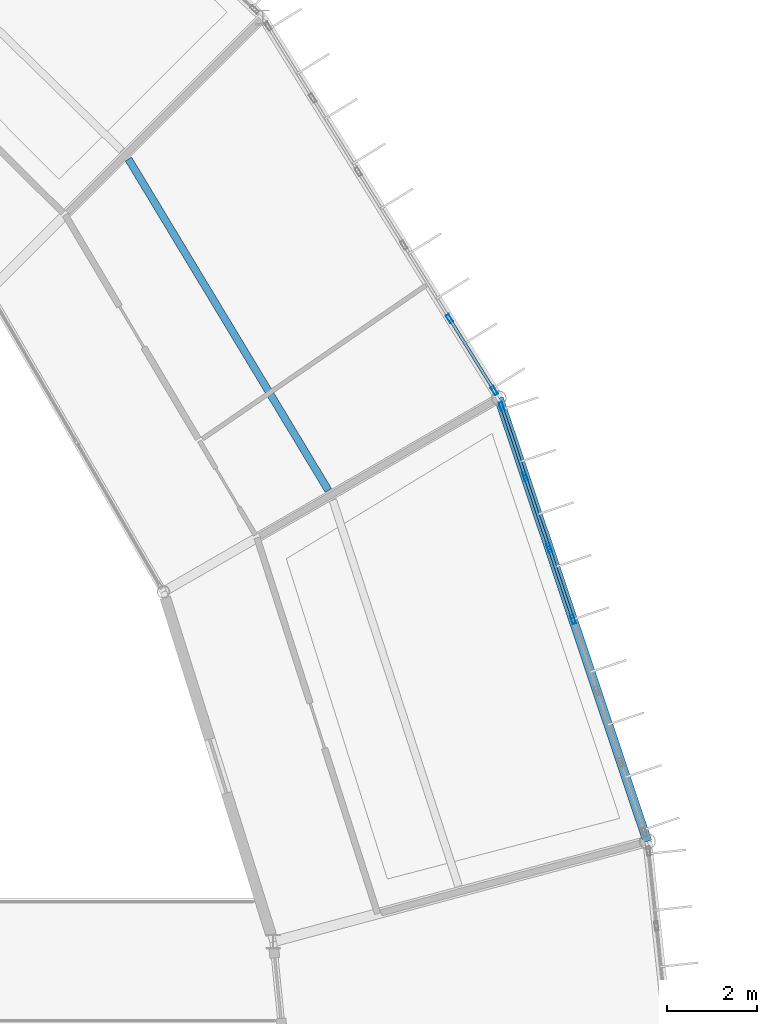
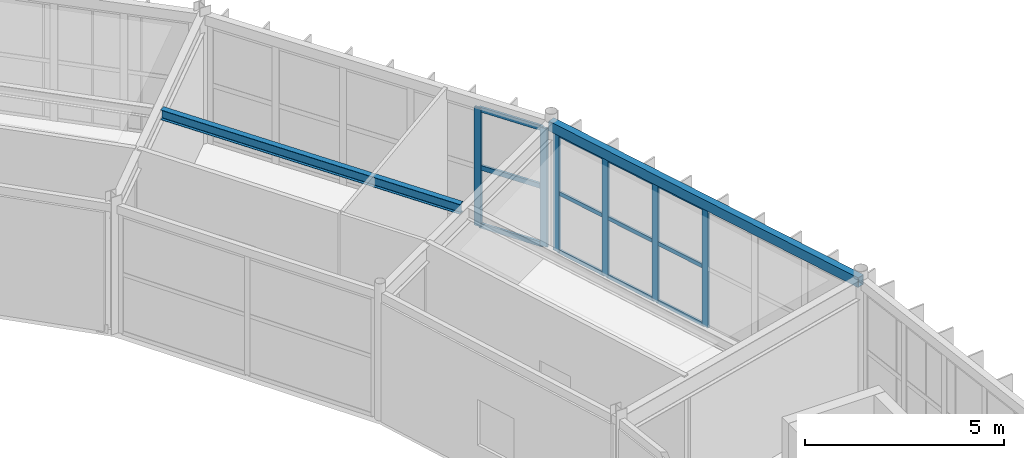
# One storey, part 83 of 148: 18 members, 2 beams, 2 elements without a shape of their own.
"""IFC4 building model written with IfcOpenShell, lengths in metres."""

from ifc_helpers import new_model, si_unit, direction, frame, origin, origin_2d, place, context, subcontext, project, spatial, hollow_rectangle, i_section, extrude, material, material_profile, profile_set, type_object, element, aggregate, save


model = new_model("IFC4")

# Units and contexts
model_context = context("Model", 3, precision=1e-05, world=origin(), true_north=direction((0.0, 1.0)))
body_context = subcontext(model_context, "Body", "Model", "MODEL_VIEW")
ifc_project = project(units=[si_unit("LENGTHUNIT", "METRE"), si_unit("AREAUNIT", "SQUARE_METRE"), si_unit("VOLUMEUNIT", "CUBIC_METRE"), si_unit("PLANEANGLEUNIT", "RADIAN"), si_unit("MASSUNIT", "GRAM", prefix="KILO")], contexts=[model_context])

# Site, building, storey
site_placement = place(None, origin())
site = spatial("IfcSite", under=ifc_project, at=site_placement, CompositionType="ELEMENT")
building_placement = place(site_placement, origin())
building = spatial("IfcBuilding", under=site, at=building_placement, Name="Karori Crest Natural Sciences Institute", CompositionType="ELEMENT")
storey_placement = place(building_placement, frame((0.0, 0.0, 4.89990234375)))
storey = spatial("IfcBuildingStorey", under=building, at=storey_placement, Name="L01", CompositionType="ELEMENT", Elevation=4.89990234375)

# Beams
ifc_material_1 = material(Name="Structural steel AS/NZS 3679.1 Grade 350", Category="steel")
ifc_material_profile_1 = material_profile(ifc_material_1, i_section(OverallWidth=0.1650390625, OverallDepth=0.303955078125, WebThickness=0.006103515625, FlangeThickness=0.01025390625, FilletRadius=0.010986328125, at=origin_2d()), Name="310UB40.4")
ifc_profile_set_1 = profile_set([ifc_material_profile_1], Name="Structural steel AS/NZS 3679.1 Grade 350")
beam_type_1 = type_object("IfcBeamType", Name="BT-10", PredefinedType="BEAM", material=ifc_profile_set_1)
beam_1_placement = place(storey_placement, frame((91.19287109375, 68.252685546875, 3.7880859375), z_axis=(-0.516601017309, 0.856226248672, 0.0), x_axis=(-0.856226248672, -0.516601017309, 0.0)))
element("IfcBeam", 1, at=beam_1_placement, inside=storey, type_object=beam_type_1, Name="Beam B-0190", PredefinedType="BEAM", context=body_context, shape_type="SweptSolid", body=[
    extrude(i_section(OverallWidth=0.1650390625, OverallDepth=0.303955078125, WebThickness=0.006103515625, FlangeThickness=0.01025390625, FilletRadius=0.010986328125, at=origin_2d()), origin(), (0.0, 0.0, 1.0), 8.5888671875),
])
ifc_material_2 = material(Name="Hollow structural steel AS/NZS 1163 Grade C350", Category="steel")
ifc_material_profile_2 = material_profile(ifc_material_2, hollow_rectangle(XDim=0.199951171875, YDim=0.300048828125, WallThickness=0.010009765625, at=origin_2d()), Name="RHS300x200x10")
ifc_profile_set_2 = profile_set([ifc_material_profile_2], Name="Hollow structural steel AS/NZS 1163 Grade C350")
beam_type_2 = type_object("IfcBeamType", Name="BT-15", PredefinedType="SPANDREL", material=ifc_profile_set_2)
beam_2_placement = place(storey_placement, frame((98.275634765625, 60.459716796875, 3.7900390625), z_axis=(-0.317681238028, 0.948197569605, 0.0), x_axis=(-0.948197569605, -0.317681238028, 0.0)))
element("IfcBeam", 2, at=beam_2_placement, inside=storey, type_object=beam_type_2, Name="Beam B-0183", PredefinedType="SPANDREL", context=body_context, shape_type="SweptSolid", body=[
    extrude(hollow_rectangle(XDim=0.199951171875, YDim=0.300048828125, WallThickness=0.010009765625, at=origin_2d()), origin(), (0.0, 0.0, 1.0), 10.3779296875),
])

# Curtain wall, members
ifc_material_3 = material(Name="Anodised architectural aluminium 6063-T6", Category="aluminium")
curtain_wall_type_1 = type_object("IfcCurtainWallType", Name="CWT-02", PredefinedType="NOTDEFINED", material=ifc_material_3)
curtain_wall_1_placement = place(storey_placement, origin())
curtain_wall_1 = element("IfcCurtainWall", 3, at=curtain_wall_1_placement, inside=storey, type_object=curtain_wall_type_1, Name="Curtain wall CW-0032", PredefinedType="NOTDEFINED")
ifc_material_profile_3 = material_profile(ifc_material_3, hollow_rectangle(XDim=0.074951171875, YDim=0.199951171875, WallThickness=0.0048828125, at=origin_2d()), Name="CWM200x75x5")
ifc_profile_set_3 = profile_set([ifc_material_profile_3], Name="Anodised architectural aluminium 6063-T6")
member_type_1 = type_object("IfcMemberType", Name="CWM-02", PredefinedType="MULLION", material=ifc_profile_set_3)
member_1_placement = place(storey_placement, frame((95.04150390625, 70.11279296875, 0.0), z_axis=(0.0, 0.0, 1.0), x_axis=(0.948196219586, 0.317685267462, 0.0)))
member_1 = element("IfcMember", 4, at=member_1_placement, type_object=member_type_1, Name="CW-0032 mullion 1", PredefinedType="MULLION", context=body_context, shape_type="SweptSolid", body=[
    extrude(hollow_rectangle(XDim=0.074951171875, YDim=0.199951171875, WallThickness=0.0048828125, at=origin_2d()), origin(), (0.0, 0.0, 1.0), 3.625),
])
member_2_placement = place(storey_placement, frame((95.561279296875, 68.561279296875, 0.0), z_axis=(0.0, 0.0, 1.0), x_axis=(0.948196219586, 0.317685267462, 0.0)))
member_2 = element("IfcMember", 5, at=member_2_placement, type_object=member_type_1, Name="CW-0032 mullion 2", PredefinedType="MULLION", context=body_context, shape_type="SweptSolid", body=[
    extrude(hollow_rectangle(XDim=0.074951171875, YDim=0.199951171875, WallThickness=0.0048828125, at=origin_2d()), origin(), (0.0, 0.0, 1.0), 3.625),
])
member_3_placement = place(storey_placement, frame((96.093017578125, 66.974365234375, 0.0), z_axis=(0.0, 0.0, 1.0), x_axis=(0.948196219586, 0.317685267462, 0.0)))
member_3 = element("IfcMember", 6, at=member_3_placement, type_object=member_type_1, Name="CW-0032 mullion 3", PredefinedType="MULLION", context=body_context, shape_type="SweptSolid", body=[
    extrude(hollow_rectangle(XDim=0.074951171875, YDim=0.199951171875, WallThickness=0.0048828125, at=origin_2d()), origin(), (0.0, 0.0, 1.0), 3.625),
])
member_4_placement = place(storey_placement, frame((96.624755859375, 65.387451171875, 0.0), z_axis=(0.0, 0.0, 1.0), x_axis=(0.948196219586, 0.317685267462, 0.0)))
member_4 = element("IfcMember", 7, at=member_4_placement, type_object=member_type_1, Name="CW-0032 mullion 4", PredefinedType="MULLION", context=body_context, shape_type="SweptSolid", body=[
    extrude(hollow_rectangle(XDim=0.074951171875, YDim=0.199951171875, WallThickness=0.0048828125, at=origin_2d()), origin(), (0.0, 0.0, 1.0), 3.625),
])

curtain_wall_type_2 = type_object("IfcCurtainWallType", Name="CWT-03", PredefinedType="NOTDEFINED", material=ifc_material_3)
curtain_wall_2_placement = place(storey_placement, origin())
curtain_wall_2 = element("IfcCurtainWall", 8, at=curtain_wall_2_placement, inside=storey, type_object=curtain_wall_type_2, Name="Curtain wall CW-0033", PredefinedType="NOTDEFINED")
member_5_placement = place(storey_placement, frame((93.882568359375, 72.06640625, 0.0), z_axis=(0.0, 0.0, 1.0), x_axis=(0.849665769424, 0.527321609902, 0.0)))
member_5 = element("IfcMember", 9, at=member_5_placement, type_object=member_type_1, Name="CW-0033 mullion 5", PredefinedType="MULLION", context=body_context, shape_type="SweptSolid", body=[
    extrude(hollow_rectangle(XDim=0.074951171875, YDim=0.199951171875, WallThickness=0.0048828125, at=origin_2d()), origin(), (0.0, 0.0, 1.0), 3.625),
])
member_6_placement = place(storey_placement, frame((94.87451171875, 70.4677734375, 0.0), z_axis=(0.0, 0.0, 1.0), x_axis=(0.849665769424, 0.527321609902, 0.0)))
member_6 = element("IfcMember", 10, at=member_6_placement, type_object=member_type_1, Name="CW-0033 mullion 6", PredefinedType="MULLION", context=body_context, shape_type="SweptSolid", body=[
    extrude(hollow_rectangle(XDim=0.074951171875, YDim=0.199951171875, WallThickness=0.0048828125, at=origin_2d()), origin(), (0.0, 0.0, 1.0), 3.625),
])

# Member
ifc_material_profile_4 = material_profile(ifc_material_3, hollow_rectangle(XDim=0.06005859375, YDim=0.1201171875, WallThickness=0.00390625, at=origin_2d()), Name="CWT120x60x4")
ifc_profile_set_4 = profile_set([ifc_material_profile_4], Name="Anodised architectural aluminium 6063-T6")
member_type_2 = type_object("IfcMemberType", Name="CWT-TR1", PredefinedType="USERDEFINED", material=ifc_profile_set_4)
member_7_placement = place(storey_placement, frame((95.053466796875, 70.0771484375, 0.030029296875), z_axis=(0.317634958397, -0.948213073736, 0.0), x_axis=(0.948213073736, 0.317634958397, 0.0)))
member_7 = element("IfcMember", 11, at=member_7_placement, type_object=member_type_2, Name="CW-0032 transom 1.1", ObjectType="TRANSOM", PredefinedType="USERDEFINED", context=body_context, shape_type="SweptSolid", body=[
    extrude(hollow_rectangle(XDim=0.06005859375, YDim=0.1201171875, WallThickness=0.00390625, at=origin_2d()), origin(), (0.0, 0.0, 1.0), 1.56103515625),
])

member_8_placement = place(storey_placement, frame((95.053466796875, 70.0771484375, 1.8125), z_axis=(0.317634958397, -0.948213073736, 0.0), x_axis=(0.948213073736, 0.317634958397, 0.0)))
member_8 = element("IfcMember", 12, at=member_8_placement, type_object=member_type_2, Name="CW-0032 transom 1.2", ObjectType="TRANSOM", PredefinedType="USERDEFINED", context=body_context, shape_type="SweptSolid", body=[
    extrude(hollow_rectangle(XDim=0.06005859375, YDim=0.1201171875, WallThickness=0.00390625, at=origin_2d()), origin(), (0.0, 0.0, 1.0), 1.56103515625),
])

member_9_placement = place(storey_placement, frame((95.053466796875, 70.0771484375, 3.59521484375), z_axis=(0.317634958397, -0.948213073736, 0.0), x_axis=(0.948213073736, 0.317634958397, 0.0)))
member_9 = element("IfcMember", 13, at=member_9_placement, type_object=member_type_2, Name="CW-0032 transom 1.3", ObjectType="TRANSOM", PredefinedType="USERDEFINED", context=body_context, shape_type="SweptSolid", body=[
    extrude(hollow_rectangle(XDim=0.06005859375, YDim=0.1201171875, WallThickness=0.00390625, at=origin_2d()), origin(), (0.0, 0.0, 1.0), 1.56103515625),
])

member_10_placement = place(storey_placement, frame((95.5732421875, 68.52587890625, 0.030029296875), z_axis=(0.317647663217, -0.948208817747, 0.0), x_axis=(0.948208817747, 0.317647663217, 0.0)))
member_10 = element("IfcMember", 14, at=member_10_placement, type_object=member_type_2, Name="CW-0032 transom 2.1", ObjectType="TRANSOM", PredefinedType="USERDEFINED", context=body_context, shape_type="SweptSolid", body=[
    extrude(hollow_rectangle(XDim=0.06005859375, YDim=0.1201171875, WallThickness=0.00390625, at=origin_2d()), origin(), (0.0, 0.0, 1.0), 1.5986328125),
])

member_11_placement = place(storey_placement, frame((95.5732421875, 68.52587890625, 1.8125), z_axis=(0.317647663217, -0.948208817747, 0.0), x_axis=(0.948208817747, 0.317647663217, 0.0)))
member_11 = element("IfcMember", 15, at=member_11_placement, type_object=member_type_2, Name="CW-0032 transom 2.2", ObjectType="TRANSOM", PredefinedType="USERDEFINED", context=body_context, shape_type="SweptSolid", body=[
    extrude(hollow_rectangle(XDim=0.06005859375, YDim=0.1201171875, WallThickness=0.00390625, at=origin_2d()), origin(), (0.0, 0.0, 1.0), 1.5986328125),
])

member_12_placement = place(storey_placement, frame((95.5732421875, 68.52587890625, 3.59521484375), z_axis=(0.317647663217, -0.948208817747, 0.0), x_axis=(0.948208817747, 0.317647663217, 0.0)))
member_12 = element("IfcMember", 16, at=member_12_placement, type_object=member_type_2, Name="CW-0032 transom 2.3", ObjectType="TRANSOM", PredefinedType="USERDEFINED", context=body_context, shape_type="SweptSolid", body=[
    extrude(hollow_rectangle(XDim=0.06005859375, YDim=0.1201171875, WallThickness=0.00390625, at=origin_2d()), origin(), (0.0, 0.0, 1.0), 1.5986328125),
])

member_13_placement = place(storey_placement, frame((96.10498046875, 66.938720703125, 0.030029296875), z_axis=(0.317647663217, -0.948208817747, 0.0), x_axis=(0.948208817747, 0.317647663217, 0.0)))
member_13 = element("IfcMember", 17, at=member_13_placement, type_object=member_type_2, Name="CW-0032 transom 3.1", ObjectType="TRANSOM", PredefinedType="USERDEFINED", context=body_context, shape_type="SweptSolid", body=[
    extrude(hollow_rectangle(XDim=0.06005859375, YDim=0.1201171875, WallThickness=0.00390625, at=origin_2d()), origin(), (0.0, 0.0, 1.0), 1.5986328125),
])

member_14_placement = place(storey_placement, frame((96.10498046875, 66.938720703125, 1.8125), z_axis=(0.317647663217, -0.948208817747, 0.0), x_axis=(0.948208817747, 0.317647663217, 0.0)))
member_14 = element("IfcMember", 18, at=member_14_placement, type_object=member_type_2, Name="CW-0032 transom 3.2", ObjectType="TRANSOM", PredefinedType="USERDEFINED", context=body_context, shape_type="SweptSolid", body=[
    extrude(hollow_rectangle(XDim=0.06005859375, YDim=0.1201171875, WallThickness=0.00390625, at=origin_2d()), origin(), (0.0, 0.0, 1.0), 1.5986328125),
])

member_15_placement = place(storey_placement, frame((96.10498046875, 66.938720703125, 3.59521484375), z_axis=(0.317647663217, -0.948208817747, 0.0), x_axis=(0.948208817747, 0.317647663217, 0.0)))
member_15 = element("IfcMember", 19, at=member_15_placement, type_object=member_type_2, Name="CW-0032 transom 3.3", ObjectType="TRANSOM", PredefinedType="USERDEFINED", context=body_context, shape_type="SweptSolid", body=[
    extrude(hollow_rectangle(XDim=0.06005859375, YDim=0.1201171875, WallThickness=0.00390625, at=origin_2d()), origin(), (0.0, 0.0, 1.0), 1.5986328125),
])

aggregate(curtain_wall_1, [member_1, member_2, member_3, member_4, member_7, member_8, member_9, member_10, member_11, member_12, member_13, member_14, member_15])

ifc_material_profile_5 = material_profile(ifc_material_3, hollow_rectangle(XDim=0.06494140625, YDim=0.14990234375, WallThickness=0.00390625, at=origin_2d()), Name="CWT150x65x4")
ifc_profile_set_5 = profile_set([ifc_material_profile_5], Name="Anodised architectural aluminium 6063-T6")
member_type_3 = type_object("IfcMemberType", Name="CWT-TR2", PredefinedType="USERDEFINED", material=ifc_profile_set_5)
member_16_placement = place(storey_placement, frame((93.90234375, 72.034423828125, 0.03271484375), z_axis=(0.527238374605, -0.849717421467, 0.0), x_axis=(0.849717421467, 0.527238374605, 0.0)))
member_16 = element("IfcMember", 20, at=member_16_placement, type_object=member_type_3, Name="CW-0033 transom 5.1", ObjectType="TRANSOM", PredefinedType="USERDEFINED", context=body_context, shape_type="SweptSolid", body=[
    extrude(hollow_rectangle(XDim=0.06494140625, YDim=0.14990234375, WallThickness=0.00390625, at=origin_2d()), origin(), (0.0, 0.0, 1.0), 1.806396484375),
])

member_17_placement = place(storey_placement, frame((93.90234375, 72.034423828125, 1.8125), z_axis=(0.527238374605, -0.849717421467, 0.0), x_axis=(0.849717421467, 0.527238374605, 0.0)))
member_17 = element("IfcMember", 21, at=member_17_placement, type_object=member_type_3, Name="CW-0033 transom 5.2", ObjectType="TRANSOM", PredefinedType="USERDEFINED", context=body_context, shape_type="SweptSolid", body=[
    extrude(hollow_rectangle(XDim=0.06494140625, YDim=0.14990234375, WallThickness=0.00390625, at=origin_2d()), origin(), (0.0, 0.0, 1.0), 1.806396484375),
])

member_18_placement = place(storey_placement, frame((93.90234375, 72.034423828125, 3.592529296875), z_axis=(0.527238374605, -0.849717421467, 0.0), x_axis=(0.849717421467, 0.527238374605, 0.0)))
member_18 = element("IfcMember", 22, at=member_18_placement, type_object=member_type_3, Name="CW-0033 transom 5.3", ObjectType="TRANSOM", PredefinedType="USERDEFINED", context=body_context, shape_type="SweptSolid", body=[
    extrude(hollow_rectangle(XDim=0.06494140625, YDim=0.14990234375, WallThickness=0.00390625, at=origin_2d()), origin(), (0.0, 0.0, 1.0), 1.806396484375),
])

aggregate(curtain_wall_2, [member_5, member_6, member_16, member_17, member_18])

save(model, "model.ifc")
